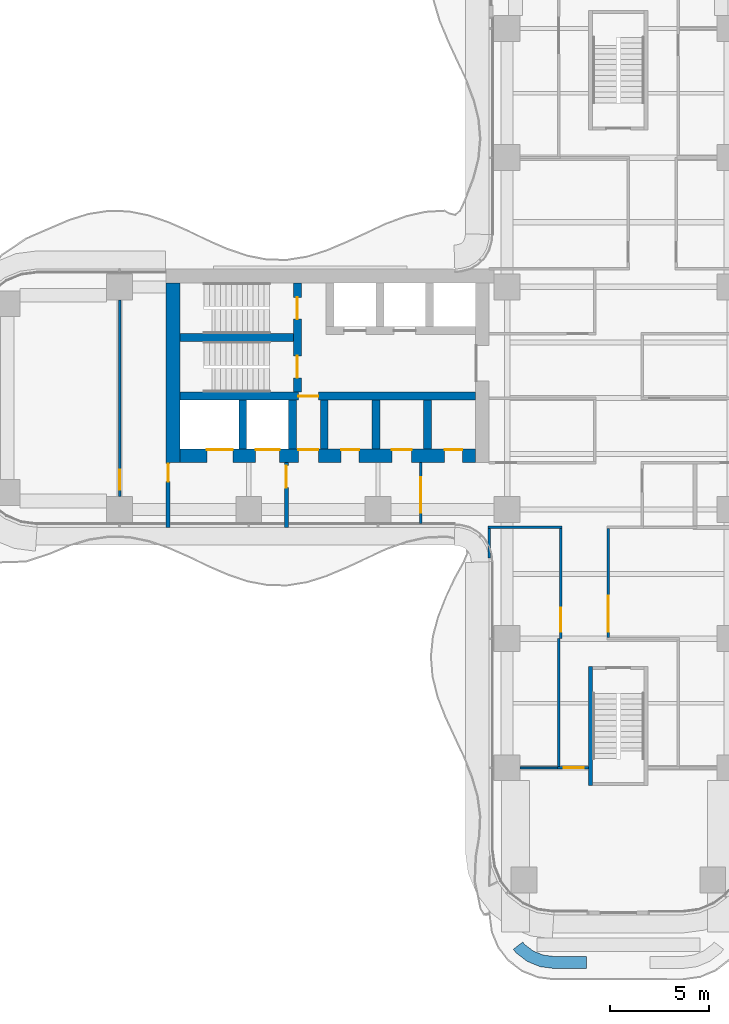
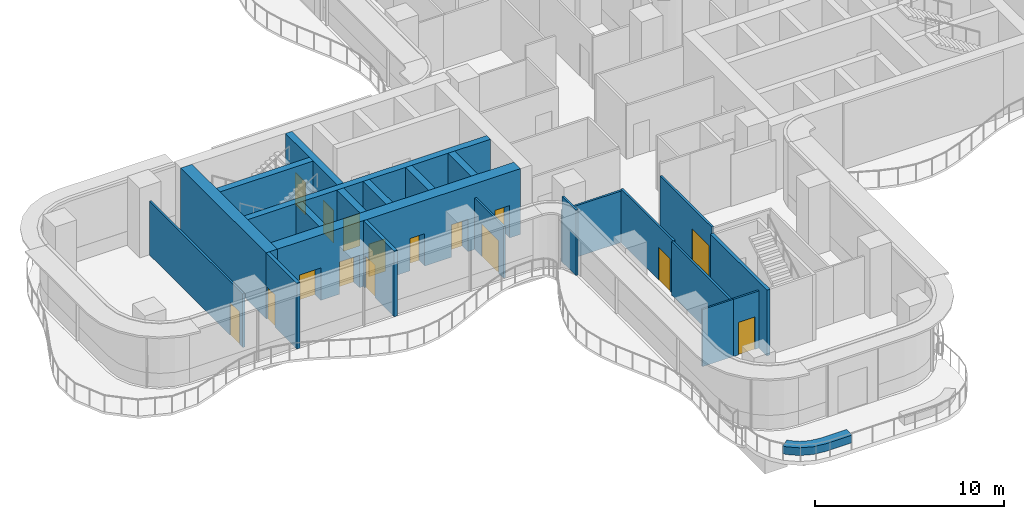
# One storey, part 17 of 22: 23 walls, 16 doors, 16 openings.
"""IFC4 building model written with IfcOpenShell, lengths in metres."""

from ifc_helpers import new_model, si_unit, direction, frame, frame_2d, origin, place, context, subcontext, project, spatial, polyline, rectangle, outline, extrude, source, transform, mapped, material, layer, layer_set, type_object, element, fill, save


model = new_model("IFC4")

# Units and contexts
model_context = context("Model", 3, precision=1e-05, world=origin(), true_north=direction((0.0, 1.0)))
body_context = subcontext(model_context, "Body", "Model", "MODEL_VIEW")
ifc_project = project(units=[si_unit("LENGTHUNIT", "METRE"), si_unit("AREAUNIT", "SQUARE_METRE"), si_unit("VOLUMEUNIT", "CUBIC_METRE"), si_unit("PLANEANGLEUNIT", "RADIAN"), si_unit("MASSUNIT", "GRAM", prefix="KILO")], contexts=[model_context])

# Site, building, storey
site_placement = place(None, origin())
site = spatial("IfcSite", under=ifc_project, at=site_placement, CompositionType="ELEMENT")
building_placement = place(site_placement, origin())
building = spatial("IfcBuilding", under=site, at=building_placement, Name="Trellis Farm Tower", CompositionType="ELEMENT")
storey_placement = place(building_placement, frame((0.0, 0.0, 124.5)))
storey = spatial("IfcBuildingStorey", under=building, at=storey_placement, Name="L26", CompositionType="ELEMENT", Elevation=124.5)

# Walls
ifc_material_1 = material(Name="Sandstone faced masonry planter", Category="masonry")
ifc_layer_1 = layer(ifc_material_1, 0.60009765625)
ifc_layer_set_1 = layer_set([ifc_layer_1], Name="PLANTER BED 600")
wall_type_1 = type_object("IfcWallType", Name="PLANTER BED 600", PredefinedType="USERDEFINED", material=ifc_layer_set_1)
wall_1_placement = place(storey_placement, origin())
element("IfcWall", 1, at=wall_1_placement, inside=storey, type_object=wall_type_1, Name="PLANTER bed", ObjectType="PLANTER", PredefinedType="USERDEFINED", context=body_context, shape_type="SweptSolid", body=[
    extrude(outline(polyline([(-3.214111328125, -28.699951171875), (-3.947509765625, -28.603515625), (-4.59765625, -28.334228515625), (-5.15576171875, -27.90576171875), (-5.29052734375, -27.730224609375), (-4.814697265625, -27.364990234375), (-4.727783203125, -27.477783203125), (-4.294921875, -27.81005859375), (-3.791015625, -28.018798828125), (-3.174560546875, -28.10009765625), (-1.60009765625, -28.10009765625), (-1.60009765625, -28.699951171875), (-3.214111328125, -28.699951171875)])), origin(), (0.0, 0.0, 1.0), 0.5),
])
ifc_material_2 = material(Name="Concrete C70/85", Category="concrete")
ifc_layer_2 = layer(ifc_material_2, 0.699951171875)
ifc_layer_set_2 = layer_set([ifc_layer_2], Name="CORE OUTER WALL 700 CONCRETE C70/85")
wall_type_2 = type_object("IfcWallType", Name="CORE OUTER WALL 700 CONCRETE C70/85", PredefinedType="SHEAR", material=ifc_layer_set_2)
shared_shape_1 = source(origin(), body_context, "Body", "SweptSolid", [
    extrude(rectangle(XDim=9.050048828125, YDim=0.699951171875, at=frame_2d((4.52490234375, 0.0))), origin(), (0.0, 0.0, 1.0), 4.25),
])
wall_2_placement = place(storey_placement, frame((-22.39990234375, 5.800048828125, 0.0), z_axis=(0.0, 0.0, 1.0), x_axis=(0.0, -1.0, 0.0)))
element("IfcWall", 2, at=wall_2_placement, inside=storey, type_object=wall_type_2, Name="Core wall", PredefinedType="SHEAR", context=body_context, shape_type="MappedRepresentation", body=[
    mapped(shared_shape_1, transform((0.0, 0.0, 0.0))),
])
ifc_layer_3 = layer(ifc_material_2, 0.39990234375)
ifc_layer_set_3 = layer_set([ifc_layer_3], Name="CORE INNER WALL 400 CONCRETE C70/85")
wall_type_3 = type_object("IfcWallType", Name="CORE INNER WALL 400 CONCRETE C70/85", PredefinedType="SHEAR", material=ifc_layer_set_3)
shared_shape_2 = source(origin(), body_context, "Body", "SweptSolid", [
    extrude(rectangle(XDim=2.449951171875, YDim=0.39990234375, at=frame_2d((1.22509765625, 0.0))), origin(), (0.0, 0.0, 1.0), 4.25),
])
for number, where, z_axis, x_axis, name in (
    (3, (-9.60009765625, -0.10009765625, 0.0), (0.0, 0.0, 1.0), (0.0, -1.0, 0.0), "Core wall"),
    (4, (-12.199951171875, -0.10009765625, 0.0), (0.0, 0.0, 1.0), (0.0, -1.0, 0.0), "Core wall"),
    (5, (-14.800048828125, -0.10009765625, 0.0), (0.0, 0.0, 1.0), (0.0, -1.0, 0.0), "Core wall"),
    (6, (-16.39990234375, -0.10009765625, 0.0), (0.0, 0.0, 1.0), (0.0, -1.0, 0.0), "Core wall"),
    (7, (-18.89990234375, -0.10009765625, 0.0), (0.0, 0.0, 1.0), (0.0, -1.0, 0.0), "Core wall"),
):
    element("IfcWall", number, at=place(storey_placement, frame(where, z_axis=z_axis, x_axis=x_axis)), inside=storey, type_object=wall_type_3, Name=name, PredefinedType="SHEAR", context=body_context, shape_type="MappedRepresentation", body=[
        mapped(shared_shape_2, transform((0.0, 0.0, 0.0))),
    ])

# Wall, opening, door
ifc_material_3 = material(Name="Masonry blockwork", Category="masonry")
ifc_layer_4 = layer(ifc_material_3, 0.199951171875)
ifc_layer_set_4 = layer_set([ifc_layer_4], Name="FIRE LOBBY PARTITION 200 BLOCKWORK")
wall_type_4 = type_object("IfcWallType", Name="FIRE LOBBY PARTITION 200 BLOCKWORK", PredefinedType="PARTITIONING", material=ifc_layer_set_4)
shared_shape_3 = source(origin(), body_context, "Body", "SweptSolid", [
    extrude(rectangle(XDim=3.25, YDim=0.199951171875, at=frame_2d((1.625, 0.0))), origin(), (0.0, 0.0, 1.0), 4.25),
])
wall_3_placement = place(storey_placement, frame((-16.699951171875, -3.25, 0.0), z_axis=(0.0, 0.0, 1.0), x_axis=(0.0, -1.0, 0.0)))
wall_3 = element("IfcWall", 8, at=wall_3_placement, inside=storey, type_object=wall_type_4, Name="Fire-fighting lobby partition", PredefinedType="PARTITIONING", context=body_context, shape_type="MappedRepresentation", body=[
    mapped(shared_shape_3, transform((0.0, 0.0, 0.0))),
])
shared_shape_4 = source(origin(), body_context, "Body", "SweptSolid", [
    extrude(rectangle(XDim=1.10009765625, YDim=2.10009765625, at=frame_2d((0.550048828125, 1.050048828125))), frame((0.0, 0.110107421875, 0.0), z_axis=(0.0, -1.0, 0.0), x_axis=(1.0, 0.0, 0.0)), (0.0, 0.0, 1.0), 0.22021484375),
])
opening_1_placement = place(wall_3_placement, frame((0.14990234375, 0.0, 0.0)))
opening_1 = element("IfcOpeningElement", 9, at=opening_1_placement, cuts=wall_3, Name="Opening DC93", PredefinedType="OPENING", context=body_context, shape_type="MappedRepresentation", body=[
    mapped(shared_shape_4, transform((0.0, 0.0, 0.0))),
])
ifc_material_4 = material(Name="Steel", Category="steel")
door_type_1 = type_object("IfcDoorType", Name="CORE FIRE DOOR 1100 X 2100", OperationType="NOTDEFINED", PredefinedType="DOOR", material=ifc_material_4)
shared_shape_5 = source(origin(), body_context, "Body", "SweptSolid", [
    extrude(rectangle(XDim=1.10009765625, YDim=2.10009765625, at=frame_2d((0.550048828125, 1.050048828125))), frame((0.0, 0.02490234375, 0.0), z_axis=(0.0, -1.0, 0.0), x_axis=(1.0, 0.0, 0.0)), (0.0, 0.0, 1.0), 0.050048828125),
])
door_1_placement = place(opening_1_placement, origin())
door_1 = element("IfcDoor", 10, at=door_1_placement, inside=storey, type_object=door_type_1, Name="Core door", OperationType="SINGLE_SWING_RIGHT", OverallHeight=2.10009765625, OverallWidth=1.10009765625, PredefinedType="DOOR", context=body_context, shape_type="MappedRepresentation", body=[
    mapped(shared_shape_5, transform((0.0, 0.0, 0.0))),
])
fill(opening_1, door_1)

wall_4_placement = place(storey_placement, frame((-22.64990234375, -3.25, 0.0), z_axis=(0.0, 0.0, 1.0), x_axis=(0.0, -1.0, 0.0)))
wall_4 = element("IfcWall", 11, at=wall_4_placement, inside=storey, type_object=wall_type_4, Name="Fire-fighting lobby partition", PredefinedType="PARTITIONING", context=body_context, shape_type="MappedRepresentation", body=[
    mapped(shared_shape_3, transform((0.0, 0.0, 0.0))),
])
shared_shape_6 = source(origin(), body_context, "Body", "SweptSolid", [
    extrude(rectangle(XDim=0.89990234375, YDim=2.10009765625, at=frame_2d((0.449951171875, 1.050048828125))), frame((0.0, 0.110107421875, 0.0), z_axis=(0.0, -1.0, 0.0), x_axis=(1.0, 0.0, 0.0)), (0.0, 0.0, 1.0), 0.22021484375),
])
opening_2_placement = place(wall_4_placement, frame((0.050048828125, 0.0, 0.0)))
opening_2 = element("IfcOpeningElement", 12, at=opening_2_placement, cuts=wall_4, Name="Opening DC94", PredefinedType="OPENING", context=body_context, shape_type="MappedRepresentation", body=[
    mapped(shared_shape_6, transform((0.0, 0.0, 0.0))),
])
door_type_2 = type_object("IfcDoorType", Name="CORE FIRE DOOR 900 X 2100", OperationType="NOTDEFINED", PredefinedType="DOOR", material=ifc_material_4)
shared_shape_7 = source(origin(), body_context, "Body", "SweptSolid", [
    extrude(rectangle(XDim=0.89990234375, YDim=2.10009765625, at=frame_2d((0.449951171875, 1.050048828125))), frame((0.0, 0.02490234375, 0.0), z_axis=(0.0, -1.0, 0.0), x_axis=(1.0, 0.0, 0.0)), (0.0, 0.0, 1.0), 0.050048828125),
])
door_2_placement = place(opening_2_placement, origin())
door_2 = element("IfcDoor", 13, at=door_2_placement, inside=storey, type_object=door_type_2, Name="Core door", OperationType="SINGLE_SWING_RIGHT", OverallHeight=2.10009765625, OverallWidth=0.89990234375, PredefinedType="DOOR", context=body_context, shape_type="MappedRepresentation", body=[
    mapped(shared_shape_7, transform((0.0, 0.0, 0.0))),
])
fill(opening_2, door_2)

# Wall, openings, doors
shared_shape_8 = source(origin(), body_context, "Body", "SweptSolid", [
    extrude(rectangle(XDim=14.85009765625, YDim=0.699951171875, at=frame_2d((7.425048828125, 0.0))), origin(), (0.0, 0.0, 1.0), 4.25),
])
wall_5_placement = place(storey_placement, frame((-7.199951171875, -2.89990234375, 0.0), z_axis=(0.0, 0.0, 1.0), x_axis=(-1.0, 0.0, 0.0)))
wall_5 = element("IfcWall", 14, at=wall_5_placement, inside=storey, type_object=wall_type_2, Name="Core wall", PredefinedType="SHEAR", context=body_context, shape_type="MappedRepresentation", body=[
    mapped(shared_shape_8, transform((0.0, 0.0, 0.0))),
])
shared_shape_9 = source(origin(), body_context, "Body", "SweptSolid", [
    extrude(rectangle(XDim=1.300048828125, YDim=2.10009765625, at=frame_2d((0.64990234375, 1.050048828125))), frame((0.0, 0.360107421875, 0.0), z_axis=(0.0, -1.0, 0.0), x_axis=(1.0, 0.0, 0.0)), (0.0, 0.0, 1.0), 0.72021484375),
])
opening_3_placement = place(wall_5_placement, frame((12.199951171875, 0.0, 0.0)))
opening_3 = element("IfcOpeningElement", 15, at=opening_3_placement, cuts=wall_5, Name="Opening LD15", PredefinedType="OPENING", context=body_context, shape_type="MappedRepresentation", body=[
    mapped(shared_shape_9, transform((0.0, 0.0, 0.0))),
])
shared_shape_10 = source(origin(), body_context, "Body", "SweptSolid", [
    extrude(rectangle(XDim=1.199951171875, YDim=2.10009765625, at=frame_2d((0.60009765625, 1.050048828125))), frame((0.0, 0.360107421875, 0.0), z_axis=(0.0, -1.0, 0.0), x_axis=(1.0, 0.0, 0.0)), (0.0, 0.0, 1.0), 0.72021484375),
])
opening_4_placement = place(wall_5_placement, frame((9.85009765625, 0.0, 0.0)))
opening_4 = element("IfcOpeningElement", 16, at=opening_4_placement, cuts=wall_5, Name="Opening LD16", PredefinedType="OPENING", context=body_context, shape_type="MappedRepresentation", body=[
    mapped(shared_shape_10, transform((0.0, 0.0, 0.0))),
])
shared_shape_11 = source(origin(), body_context, "Body", "SweptSolid", [
    extrude(rectangle(XDim=1.0, YDim=2.10009765625, at=frame_2d((0.5, 1.050048828125))), frame((0.0, 0.360107421875, 0.0), z_axis=(0.0, -1.0, 0.0), x_axis=(1.0, 0.0, 0.0)), (0.0, 0.0, 1.0), 0.72021484375),
])
opening_5_placement = place(wall_5_placement, frame((7.89990234375, 0.0, 0.0)))
opening_5 = element("IfcOpeningElement", 17, at=opening_5_placement, cuts=wall_5, Name="Opening DC92", PredefinedType="OPENING", context=body_context, shape_type="MappedRepresentation", body=[
    mapped(shared_shape_11, transform((0.0, 0.0, 0.0))),
])
shared_shape_12 = source(origin(), body_context, "Body", "SweptSolid", [
    extrude(rectangle(XDim=0.89990234375, YDim=2.10009765625, at=frame_2d((0.449951171875, 1.050048828125))), frame((0.0, 0.360107421875, 0.0), z_axis=(0.0, -1.0, 0.0), x_axis=(1.0, 0.0, 0.0)), (0.0, 0.0, 1.0), 0.72021484375),
])
opening_6_placement = place(wall_5_placement, frame((0.64990234375, 0.0, 0.0)))
opening_6 = element("IfcOpeningElement", 18, at=opening_6_placement, cuts=wall_5, Name="Opening DC97", PredefinedType="OPENING", context=body_context, shape_type="MappedRepresentation", body=[
    mapped(shared_shape_12, transform((0.0, 0.0, 0.0))),
])
opening_7_placement = place(wall_5_placement, frame((3.199951171875, 0.0, 0.0)))
opening_7 = element("IfcOpeningElement", 19, at=opening_7_placement, cuts=wall_5, Name="Opening DC112", PredefinedType="OPENING", context=body_context, shape_type="MappedRepresentation", body=[
    mapped(shared_shape_11, transform((0.0, 0.0, 0.0))),
])
opening_8_placement = place(wall_5_placement, frame((5.85009765625, 0.0, 0.0)))
opening_8 = element("IfcOpeningElement", 20, at=opening_8_placement, cuts=wall_5, Name="Opening DC121", PredefinedType="OPENING", context=body_context, shape_type="MappedRepresentation", body=[
    mapped(shared_shape_12, transform((0.0, 0.0, 0.0))),
])
door_type_3 = type_object("IfcDoorType", Name="CORE FIRE DOOR 1000 X 2100", OperationType="NOTDEFINED", PredefinedType="DOOR", material=ifc_material_4)
shared_shape_13 = source(origin(), body_context, "Body", "SweptSolid", [
    extrude(rectangle(XDim=1.0, YDim=2.10009765625, at=frame_2d((0.5, 1.050048828125))), frame((0.0, -0.27490234375, 0.0), z_axis=(0.0, -1.0, 0.0), x_axis=(1.0, 0.0, 0.0)), (0.0, 0.0, 1.0), 0.050048828125),
])
door_3_placement = place(opening_5_placement, origin())
door_3 = element("IfcDoor", 21, at=door_3_placement, inside=storey, type_object=door_type_3, Name="Core door", OperationType="SINGLE_SWING_LEFT", OverallHeight=2.10009765625, OverallWidth=1.0, PredefinedType="DOOR", context=body_context, shape_type="MappedRepresentation", body=[
    mapped(shared_shape_13, transform((0.0, 0.0, 0.0))),
])
fill(opening_5, door_3)
door_4_placement = place(opening_7_placement, origin())
door_4 = element("IfcDoor", 22, at=door_4_placement, inside=storey, type_object=door_type_3, Name="Core door", OperationType="SINGLE_SWING_RIGHT", OverallHeight=2.10009765625, OverallWidth=1.0, PredefinedType="DOOR", context=body_context, shape_type="MappedRepresentation", body=[
    mapped(shared_shape_13, transform((0.0, 0.0, 0.0))),
])
fill(opening_7, door_4)
shared_shape_14 = source(origin(), body_context, "Body", "SweptSolid", [
    extrude(rectangle(XDim=0.89990234375, YDim=2.10009765625, at=frame_2d((0.449951171875, 1.050048828125))), frame((0.0, -0.27490234375, 0.0), z_axis=(0.0, -1.0, 0.0), x_axis=(1.0, 0.0, 0.0)), (0.0, 0.0, 1.0), 0.050048828125),
])
door_5_placement = place(opening_6_placement, origin())
door_5 = element("IfcDoor", 23, at=door_5_placement, inside=storey, type_object=door_type_2, Name="Core door", OperationType="SINGLE_SWING_LEFT", OverallHeight=2.10009765625, OverallWidth=0.89990234375, PredefinedType="DOOR", context=body_context, shape_type="MappedRepresentation", body=[
    mapped(shared_shape_14, transform((0.0, 0.0, 0.0))),
])
fill(opening_6, door_5)
door_6_placement = place(opening_8_placement, origin())
door_6 = element("IfcDoor", 24, at=door_6_placement, inside=storey, type_object=door_type_2, Name="Core door", OperationType="SINGLE_SWING_LEFT", OverallHeight=2.10009765625, OverallWidth=0.89990234375, PredefinedType="DOOR", context=body_context, shape_type="MappedRepresentation", body=[
    mapped(shared_shape_14, transform((0.0, 0.0, 0.0))),
])
fill(opening_8, door_6)
ifc_material_5 = material(Name="Stainless steel", Category="steel")
door_type_4 = type_object("IfcDoorType", Name="LIFT LANDING DOOR 1300 X 2100", OperationType="DOUBLE_DOOR_SLIDING", PredefinedType="DOOR", material=ifc_material_5)
shared_shape_15 = source(origin(), body_context, "Body", "SweptSolid", [
    extrude(rectangle(XDim=1.300048828125, YDim=2.10009765625, at=frame_2d((0.64990234375, 1.050048828125))), frame((0.0, -0.27490234375, 0.0), z_axis=(0.0, -1.0, 0.0), x_axis=(1.0, 0.0, 0.0)), (0.0, 0.0, 1.0), 0.050048828125),
])
door_7_placement = place(opening_3_placement, origin())
door_7 = element("IfcDoor", 25, at=door_7_placement, inside=storey, type_object=door_type_4, Name="Lift landing door", OperationType="DOUBLE_DOOR_SLIDING", OverallHeight=2.10009765625, OverallWidth=1.300048828125, PredefinedType="DOOR", context=body_context, shape_type="MappedRepresentation", body=[
    mapped(shared_shape_15, transform((0.0, 0.0, 0.0))),
])
fill(opening_3, door_7)
door_type_5 = type_object("IfcDoorType", Name="LIFT LANDING DOOR 1200 X 2100", OperationType="DOUBLE_DOOR_SLIDING", PredefinedType="DOOR", material=ifc_material_5)
shared_shape_16 = source(origin(), body_context, "Body", "SweptSolid", [
    extrude(rectangle(XDim=1.199951171875, YDim=2.10009765625, at=frame_2d((0.60009765625, 1.050048828125))), frame((0.0, -0.27490234375, 0.0), z_axis=(0.0, -1.0, 0.0), x_axis=(1.0, 0.0, 0.0)), (0.0, 0.0, 1.0), 0.050048828125),
])
door_8_placement = place(opening_4_placement, origin())
door_8 = element("IfcDoor", 26, at=door_8_placement, inside=storey, type_object=door_type_5, Name="Lift landing door", OperationType="DOUBLE_DOOR_SLIDING", OverallHeight=2.10009765625, OverallWidth=1.199951171875, PredefinedType="DOOR", context=body_context, shape_type="MappedRepresentation", body=[
    mapped(shared_shape_16, transform((0.0, 0.0, 0.0))),
])
fill(opening_4, door_8)

# Wall, opening, door
shared_shape_17 = source(origin(), body_context, "Body", "SweptSolid", [
    extrude(rectangle(XDim=14.85009765625, YDim=0.39990234375, at=frame_2d((7.425048828125, 0.0))), origin(), (0.0, 0.0, 1.0), 4.25),
])
wall_6_placement = place(storey_placement, frame((-7.199951171875, 0.10009765625, 0.0), z_axis=(0.0, 0.0, 1.0), x_axis=(-1.0, 0.0, 0.0)))
wall_6 = element("IfcWall", 27, at=wall_6_placement, inside=storey, type_object=wall_type_3, Name="Core wall", PredefinedType="SHEAR", context=body_context, shape_type="MappedRepresentation", body=[
    mapped(shared_shape_17, transform((0.0, 0.0, 0.0))),
])
shared_shape_18 = source(origin(), body_context, "Body", "SweptSolid", [
    extrude(rectangle(XDim=1.0, YDim=2.10009765625, at=frame_2d((0.5, 1.050048828125))), frame((0.0, 0.2099609375, 0.0), z_axis=(0.0, -1.0, 0.0), x_axis=(1.0, 0.0, 0.0)), (0.0, 0.0, 1.0), 0.419921875),
])
opening_9_placement = place(wall_6_placement, frame((7.89990234375, 0.0, 0.0)))
opening_9 = element("IfcOpeningElement", 28, at=opening_9_placement, cuts=wall_6, Name="Opening DC91", PredefinedType="OPENING", context=body_context, shape_type="MappedRepresentation", body=[
    mapped(shared_shape_18, transform((0.0, 0.0, 0.0))),
])
shared_shape_19 = source(origin(), body_context, "Body", "SweptSolid", [
    extrude(rectangle(XDim=1.0, YDim=2.10009765625, at=frame_2d((0.5, 1.050048828125))), frame((0.0, 0.02490234375, 0.0), z_axis=(0.0, -1.0, 0.0), x_axis=(1.0, 0.0, 0.0)), (0.0, 0.0, 1.0), 0.050048828125),
])
door_9_placement = place(opening_9_placement, origin())
door_9 = element("IfcDoor", 29, at=door_9_placement, inside=storey, type_object=door_type_3, Name="Core door", OperationType="SINGLE_SWING_RIGHT", OverallHeight=2.10009765625, OverallWidth=1.0, PredefinedType="DOOR", context=body_context, shape_type="MappedRepresentation", body=[
    mapped(shared_shape_19, transform((0.0, 0.0, 0.0))),
])
fill(opening_9, door_9)

# Wall, openings, doors
shared_shape_20 = source(origin(), body_context, "Body", "SweptSolid", [
    extrude(rectangle(XDim=5.5, YDim=0.39990234375, at=frame_2d((2.75, 0.0))), origin(), (0.0, 0.0, 1.0), 4.25),
])
wall_7_placement = place(storey_placement, frame((-16.14990234375, 5.800048828125, 0.0), z_axis=(0.0, 0.0, 1.0), x_axis=(0.0, -1.0, 0.0)))
wall_7 = element("IfcWall", 30, at=wall_7_placement, inside=storey, type_object=wall_type_3, Name="Core wall", PredefinedType="SHEAR", context=body_context, shape_type="MappedRepresentation", body=[
    mapped(shared_shape_20, transform((0.0, 0.0, 0.0))),
])
shared_shape_21 = source(origin(), body_context, "Body", "SweptSolid", [
    extrude(rectangle(XDim=1.10009765625, YDim=2.10009765625, at=frame_2d((0.550048828125, 1.050048828125))), frame((0.0, 0.2099609375, 0.0), z_axis=(0.0, -1.0, 0.0), x_axis=(1.0, 0.0, 0.0)), (0.0, 0.0, 1.0), 0.419921875),
])
opening_10_placement = place(wall_7_placement, frame((0.72509765625, 0.0, 0.0)))
opening_10 = element("IfcOpeningElement", 31, at=opening_10_placement, cuts=wall_7, Name="Opening DC88", PredefinedType="OPENING", context=body_context, shape_type="MappedRepresentation", body=[
    mapped(shared_shape_21, transform((0.0, 0.0, 0.0))),
])
opening_11_placement = place(wall_7_placement, frame((3.675048828125, 0.0, 0.0)))
opening_11 = element("IfcOpeningElement", 32, at=opening_11_placement, cuts=wall_7, Name="Opening DC89", PredefinedType="OPENING", context=body_context, shape_type="MappedRepresentation", body=[
    mapped(shared_shape_21, transform((0.0, 0.0, 0.0))),
])
door_10_placement = place(opening_10_placement, origin())
door_10 = element("IfcDoor", 33, at=door_10_placement, inside=storey, type_object=door_type_1, Name="Core door", OperationType="SINGLE_SWING_RIGHT", OverallHeight=2.10009765625, OverallWidth=1.10009765625, PredefinedType="DOOR", context=body_context, shape_type="MappedRepresentation", body=[
    mapped(shared_shape_5, transform((0.0, 0.0, 0.0))),
])
fill(opening_10, door_10)
door_11_placement = place(opening_11_placement, origin())
door_11 = element("IfcDoor", 34, at=door_11_placement, inside=storey, type_object=door_type_1, Name="Core door", OperationType="SINGLE_SWING_LEFT", OverallHeight=2.10009765625, OverallWidth=1.10009765625, PredefinedType="DOOR", context=body_context, shape_type="MappedRepresentation", body=[
    mapped(shared_shape_5, transform((0.0, 0.0, 0.0))),
])
fill(opening_11, door_11)

# Walls
shared_shape_22 = source(origin(), body_context, "Body", "SweptSolid", [
    extrude(rectangle(XDim=5.699951171875, YDim=0.39990234375, at=frame_2d((2.85009765625, 0.0))), origin(), (0.0, 0.0, 1.0), 4.25),
])
wall_8_placement = place(storey_placement, frame((-16.35009765625, 3.050048828125, 0.0), z_axis=(0.0, 0.0, 1.0), x_axis=(-1.0, 0.0, 0.0)))
element("IfcWall", 35, at=wall_8_placement, inside=storey, type_object=wall_type_3, Name="Core wall", PredefinedType="SHEAR", context=body_context, shape_type="MappedRepresentation", body=[
    mapped(shared_shape_22, transform((0.0, 0.0, 0.0))),
])
ifc_layer_5 = layer(ifc_material_2, 0.199951171875)
ifc_layer_set_5 = layer_set([ifc_layer_5], Name="CORE STAIR ENCLOSURE WALL 200 CONCRETE C70/85")
wall_type_5 = type_object("IfcWallType", Name="CORE STAIR ENCLOSURE WALL 200 CONCRETE C70/85", PredefinedType="SHEAR", material=ifc_layer_set_5)
shared_shape_23 = source(origin(), body_context, "Body", "SweptSolid", [
    extrude(rectangle(XDim=6.0, YDim=0.199951171875, at=frame_2d((3.0, 0.0))), origin(), (0.0, 0.0, 1.0), 4.25),
])
wall_9_placement = place(storey_placement, frame((-1.39990234375, -13.5, 0.0), z_axis=(0.0, 0.0, 1.0), x_axis=(0.0, -1.0, 0.0)))
element("IfcWall", 36, at=wall_9_placement, inside=storey, type_object=wall_type_5, Name="Stair enclosure wall", PredefinedType="SHEAR", context=body_context, shape_type="MappedRepresentation", body=[
    mapped(shared_shape_23, transform((0.0, 0.0, 0.0))),
])

# Wall, opening, door
ifc_material_6 = material(Name="Plasterboard on steel studs, mineral wool", Category="steel")
ifc_layer_6 = layer(ifc_material_6, 0.125)
ifc_layer_set_6 = layer_set([ifc_layer_6], Name="PARTITION 125 STUD EI 60")
wall_type_6 = type_object("IfcWallType", Name="PARTITION 125 STUD EI 60", PredefinedType="PARTITIONING", material=ifc_layer_set_6)
shared_shape_24 = source(origin(), body_context, "Body", "SweptSolid", [
    extrude(rectangle(XDim=5.47509765625, YDim=0.125, at=frame_2d((2.737548828125, 0.0))), origin(), (0.0, 0.0, 1.0), 3.4677734375),
])
wall_10_placement = place(storey_placement, frame((-0.5, -12.03759765625, 0.0), z_axis=(0.0, 0.0, 1.0), x_axis=(0.0, 1.0, 0.0)))
wall_10 = element("IfcWall", 37, at=wall_10_placement, inside=storey, type_object=wall_type_6, Name="Partition PW1", PredefinedType="PARTITIONING", context=body_context, shape_type="MappedRepresentation", body=[
    mapped(shared_shape_24, transform((0.0, 0.0, 0.0))),
])
shared_shape_25 = source(origin(), body_context, "Body", "SweptSolid", [
    extrude(rectangle(XDim=1.800048828125, YDim=2.10009765625, at=frame_2d((0.89990234375, 1.050048828125))), frame((0.0, 0.072509765625, 0.0), z_axis=(0.0, -1.0, 0.0), x_axis=(1.0, 0.0, 0.0)), (0.0, 0.0, 1.0), 0.14501953125),
])
opening_12_placement = place(wall_10_placement, frame((0.28759765625, 0.0, 0.0)))
opening_12 = element("IfcOpeningElement", 38, at=opening_12_placement, cuts=wall_10, Name="Opening D201", PredefinedType="OPENING", context=body_context, shape_type="MappedRepresentation", body=[
    mapped(shared_shape_25, transform((0.0, 0.0, 0.0))),
])
ifc_material_7 = material(Name="Fire-rated timber door leaf in a hollow metal frame", Category="wood")
door_type_6 = type_object("IfcDoorType", Name="DOOR PAIR 1800x2100 FD30S", OperationType="NOTDEFINED", PredefinedType="DOOR", material=ifc_material_7)
shared_shape_26 = source(origin(), body_context, "Body", "SweptSolid", [
    extrude(rectangle(XDim=1.800048828125, YDim=2.10009765625, at=frame_2d((0.89990234375, 1.050048828125))), frame((0.0, 0.02490234375, 0.0), z_axis=(0.0, -1.0, 0.0), x_axis=(1.0, 0.0, 0.0)), (0.0, 0.0, 1.0), 0.050048828125),
])
door_12_placement = place(opening_12_placement, origin())
door_12 = element("IfcDoor", 39, at=door_12_placement, inside=storey, type_object=door_type_6, Name="Door D201", OperationType="DOUBLE_DOOR_SINGLE_SWING", OverallHeight=2.10009765625, OverallWidth=1.800048828125, PredefinedType="DOOR", context=body_context, shape_type="MappedRepresentation", body=[
    mapped(shared_shape_26, transform((0.0, 0.0, 0.0))),
])
fill(opening_12, door_12)

# Wall
shared_shape_27 = source(origin(), body_context, "Body", "SweptSolid", [
    extrude(rectangle(XDim=1.468994140625, YDim=0.125, at=frame_2d((0.734375, 0.0))), origin(), (0.0, 0.0, 1.0), 4.25),
])
wall_11_placement = place(storey_placement, frame((-6.5, -6.5625, 0.0), z_axis=(0.0, 0.0, 1.0), x_axis=(0.0, -1.0, 0.0)))
element("IfcWall", 40, at=wall_11_placement, inside=storey, type_object=wall_type_6, Name="Partition PW1", PredefinedType="PARTITIONING", context=body_context, shape_type="MappedRepresentation", body=[
    mapped(shared_shape_27, transform((0.0, 0.0, 0.0))),
])

# Wall, opening, door
shared_shape_28 = source(origin(), body_context, "Body", "SweptSolid", [
    extrude(rectangle(XDim=3.050048828125, YDim=0.125, at=frame_2d((1.52490234375, 0.0))), origin(), (0.0, 0.0, 1.0), 3.330078125),
])
wall_12_placement = place(storey_placement, frame((-9.93408203125, -6.300048828125, 0.0), z_axis=(0.0, 0.0, 1.0), x_axis=(0.0, 1.0, 0.0)))
wall_12 = element("IfcWall", 41, at=wall_12_placement, inside=storey, type_object=wall_type_6, Name="Partition PW1", PredefinedType="PARTITIONING", context=body_context, shape_type="MappedRepresentation", body=[
    mapped(shared_shape_28, transform((0.0, 0.0, 0.0))),
])
opening_13_placement = place(wall_12_placement, frame((0.52490234375, 0.0, 0.0)))
opening_13 = element("IfcOpeningElement", 42, at=opening_13_placement, cuts=wall_12, Name="Opening D401", PredefinedType="OPENING", context=body_context, shape_type="MappedRepresentation", body=[
    mapped(shared_shape_25, transform((0.0, 0.0, 0.0))),
])
door_type_7 = type_object("IfcDoorType", Name="DOOR PAIR 1800x2100 FD60", OperationType="NOTDEFINED", PredefinedType="DOOR", material=ifc_material_7)
door_13_placement = place(opening_13_placement, origin())
door_13 = element("IfcDoor", 43, at=door_13_placement, inside=storey, type_object=door_type_7, Name="Door D401", OperationType="DOUBLE_DOOR_SINGLE_SWING", OverallHeight=2.10009765625, OverallWidth=1.800048828125, PredefinedType="DOOR", context=body_context, shape_type="MappedRepresentation", body=[
    mapped(shared_shape_26, transform((0.0, 0.0, 0.0))),
])
fill(opening_13, door_13)

shared_shape_29 = source(origin(), body_context, "Body", "SweptSolid", [
    extrude(rectangle(XDim=1.5625, YDim=0.125, at=frame_2d((0.78125, 0.0))), origin(), (0.0, 0.0, 1.0), 3.697021484375),
])
wall_13_placement = place(storey_placement, frame((-1.5, -18.60009765625, 0.0), z_axis=(0.0, 0.0, 1.0), x_axis=(-1.0, 0.0, 0.0)))
wall_13 = element("IfcWall", 44, at=wall_13_placement, inside=storey, type_object=wall_type_6, Name="Partition PW1", PredefinedType="PARTITIONING", context=body_context, shape_type="MappedRepresentation", body=[
    mapped(shared_shape_29, transform((0.0, 0.0, 0.0))),
])
shared_shape_30 = source(origin(), body_context, "Body", "SweptSolid", [
    extrude(rectangle(XDim=1.0, YDim=2.10009765625, at=frame_2d((0.5, 1.050048828125))), frame((0.0, 0.072509765625, 0.0), z_axis=(0.0, -1.0, 0.0), x_axis=(1.0, 0.0, 0.0)), (0.0, 0.0, 1.0), 0.14501953125),
])
opening_14_placement = place(wall_13_placement, frame((0.25, 0.0, 0.0)))
opening_14 = element("IfcOpeningElement", 45, at=opening_14_placement, cuts=wall_13, Name="Opening D101", PredefinedType="OPENING", context=body_context, shape_type="MappedRepresentation", body=[
    mapped(shared_shape_30, transform((0.0, 0.0, 0.0))),
])
door_type_8 = type_object("IfcDoorType", Name="DOOR 1000x2100 FD30S", OperationType="NOTDEFINED", PredefinedType="DOOR", material=ifc_material_7)
door_14_placement = place(opening_14_placement, origin())
door_14 = element("IfcDoor", 46, at=door_14_placement, inside=storey, type_object=door_type_8, Name="Door D101", OperationType="SINGLE_SWING_LEFT", OverallHeight=2.10009765625, OverallWidth=1.0, PredefinedType="DOOR", context=body_context, shape_type="MappedRepresentation", body=[
    mapped(shared_shape_19, transform((0.0, 0.0, 0.0))),
])
fill(opening_14, door_14)

shared_shape_31 = source(origin(), body_context, "Body", "SweptSolid", [
    extrude(rectangle(XDim=5.53759765625, YDim=0.125, at=frame_2d((2.768798828125, 0.0))), origin(), (0.0, 0.0, 1.0), 3.4677734375),
])
wall_14_placement = place(storey_placement, frame((-2.89990234375, -12.10009765625, 0.0), z_axis=(0.0, 0.0, 1.0), x_axis=(0.0, 1.0, 0.0)))
wall_14 = element("IfcWall", 47, at=wall_14_placement, inside=storey, type_object=wall_type_6, Name="Partition PW1", PredefinedType="PARTITIONING", context=body_context, shape_type="MappedRepresentation", body=[
    mapped(shared_shape_31, transform((0.0, 0.0, 0.0))),
])
shared_shape_32 = source(origin(), body_context, "Body", "SweptSolid", [
    extrude(rectangle(XDim=1.199951171875, YDim=2.10009765625, at=frame_2d((0.60009765625, 1.050048828125))), frame((0.0, 0.072509765625, 0.0), z_axis=(0.0, -1.0, 0.0), x_axis=(1.0, 0.0, 0.0)), (0.0, 0.0, 1.0), 0.14501953125),
])
opening_15_placement = place(wall_14_placement, frame((0.35009765625, 0.0, 0.0)))
opening_15 = element("IfcOpeningElement", 48, at=opening_15_placement, cuts=wall_14, Name="Opening D601", PredefinedType="OPENING", context=body_context, shape_type="MappedRepresentation", body=[
    mapped(shared_shape_32, transform((0.0, 0.0, 0.0))),
])
door_type_9 = type_object("IfcDoorType", Name="DOOR 1200x2100 FD30S", OperationType="NOTDEFINED", PredefinedType="DOOR", material=ifc_material_7)
shared_shape_33 = source(origin(), body_context, "Body", "SweptSolid", [
    extrude(rectangle(XDim=1.199951171875, YDim=2.10009765625, at=frame_2d((0.60009765625, 1.050048828125))), frame((0.0, 0.02490234375, 0.0), z_axis=(0.0, -1.0, 0.0), x_axis=(1.0, 0.0, 0.0)), (0.0, 0.0, 1.0), 0.050048828125),
])
door_15_placement = place(opening_15_placement, origin())
door_15 = element("IfcDoor", 49, at=door_15_placement, inside=storey, type_object=door_type_9, Name="Door D601", OperationType="SINGLE_SWING_LEFT", OverallHeight=2.10009765625, OverallWidth=1.199951171875, PredefinedType="DOOR", context=body_context, shape_type="MappedRepresentation", body=[
    mapped(shared_shape_33, transform((0.0, 0.0, 0.0))),
])
fill(opening_15, door_15)

# Walls
shared_shape_34 = source(origin(), body_context, "Body", "SweptSolid", [
    extrude(rectangle(XDim=3.72509765625, YDim=0.125, at=frame_2d((1.862548828125, 0.0))), origin(), (0.0, 0.0, 1.0), 3.330078125),
])
wall_15_placement = place(storey_placement, frame((-2.83740234375, -6.5, 0.0), z_axis=(0.0, 0.0, 1.0), x_axis=(-1.0, 0.0, 0.0)))
element("IfcWall", 50, at=wall_15_placement, inside=storey, type_object=wall_type_6, Name="Partition PW1", PredefinedType="PARTITIONING", context=body_context, shape_type="MappedRepresentation", body=[
    mapped(shared_shape_34, transform((0.0, 0.0, 0.0))),
])
ifc_material_8 = material(Name="Plasterboard on steel studs", Category="steel")
ifc_layer_7 = layer(ifc_material_8, 0.10009765625)
ifc_layer_set_7 = layer_set([ifc_layer_7], Name="PARTITION 100 STUD EI 30")
wall_type_7 = type_object("IfcWallType", Name="PARTITION 100 STUD EI 30", PredefinedType="PARTITIONING", material=ifc_layer_set_7)
shared_shape_35 = source(origin(), body_context, "Body", "SweptSolid", [
    extrude(rectangle(XDim=2.012451171875, YDim=0.10009765625, at=frame_2d((1.00634765625, 0.0))), origin(), (0.0, 0.0, 1.0), 3.697021484375),
])
wall_16_placement = place(storey_placement, frame((-4.949951171875, -18.60009765625, 0.0), z_axis=(0.0, 0.0, 1.0), x_axis=(1.0, 0.0, 0.0)))
element("IfcWall", 51, at=wall_16_placement, inside=storey, type_object=wall_type_7, Name="Partition PW2", PredefinedType="PARTITIONING", context=body_context, shape_type="MappedRepresentation", body=[
    mapped(shared_shape_35, transform((0.0, 0.0, 0.0))),
])

# Wall, opening, door
shared_shape_36 = source(origin(), body_context, "Body", "SweptSolid", [
    extrude(rectangle(XDim=9.89990234375, YDim=0.125, at=frame_2d((4.949951171875, 0.0))), origin(), (0.0, 0.0, 1.0), 3.4677734375),
])
wall_17_placement = place(storey_placement, frame((-25.10009765625, -4.949951171875, 0.0), z_axis=(0.0, 0.0, 1.0), x_axis=(0.0, 1.0, 0.0)))
wall_17 = element("IfcWall", 52, at=wall_17_placement, inside=storey, type_object=wall_type_6, Name="Partition PW1", PredefinedType="PARTITIONING", context=body_context, shape_type="MappedRepresentation", body=[
    mapped(shared_shape_36, transform((0.0, 0.0, 0.0))),
])
opening_16_placement = place(wall_17_placement, frame((0.35009765625, 0.0, 0.0)))
opening_16 = element("IfcOpeningElement", 53, at=opening_16_placement, cuts=wall_17, Name="Opening D102", PredefinedType="OPENING", context=body_context, shape_type="MappedRepresentation", body=[
    mapped(shared_shape_30, transform((0.0, 0.0, 0.0))),
])
door_16_placement = place(opening_16_placement, origin())
door_16 = element("IfcDoor", 54, at=door_16_placement, inside=storey, type_object=door_type_8, Name="Door D102", OperationType="SINGLE_SWING_LEFT", OverallHeight=2.10009765625, OverallWidth=1.0, PredefinedType="DOOR", context=body_context, shape_type="MappedRepresentation", body=[
    mapped(shared_shape_19, transform((0.0, 0.0, 0.0))),
])
fill(opening_16, door_16)

# Wall
shared_shape_37 = source(origin(), body_context, "Body", "SweptSolid", [
    extrude(rectangle(XDim=6.449951171875, YDim=0.125, at=frame_2d((3.22509765625, 0.0))), origin(), (0.0, 0.0, 1.0), 3.4677734375),
])
wall_18_placement = place(storey_placement, frame((-3.0, -18.550048828125, 0.0), z_axis=(0.0, 0.0, 1.0), x_axis=(0.0, 1.0, 0.0)))
element("IfcWall", 55, at=wall_18_placement, inside=storey, type_object=wall_type_6, Name="Partition PW1", PredefinedType="PARTITIONING", context=body_context, shape_type="MappedRepresentation", body=[
    mapped(shared_shape_37, transform((0.0, 0.0, 0.0))),
])

save(model, "model.ifc")
